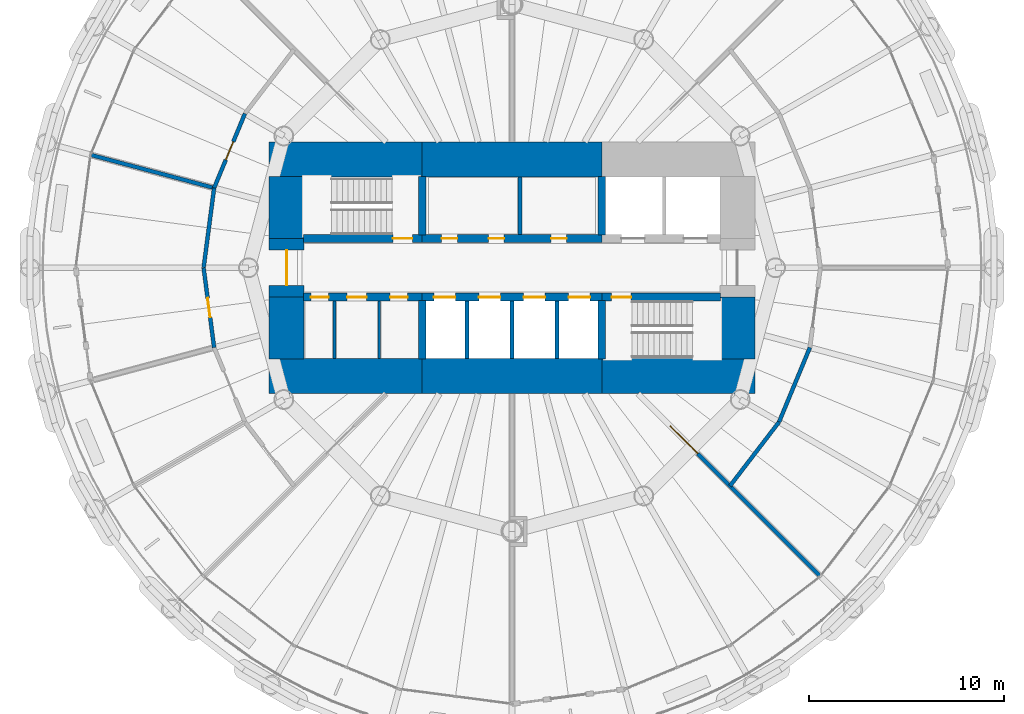
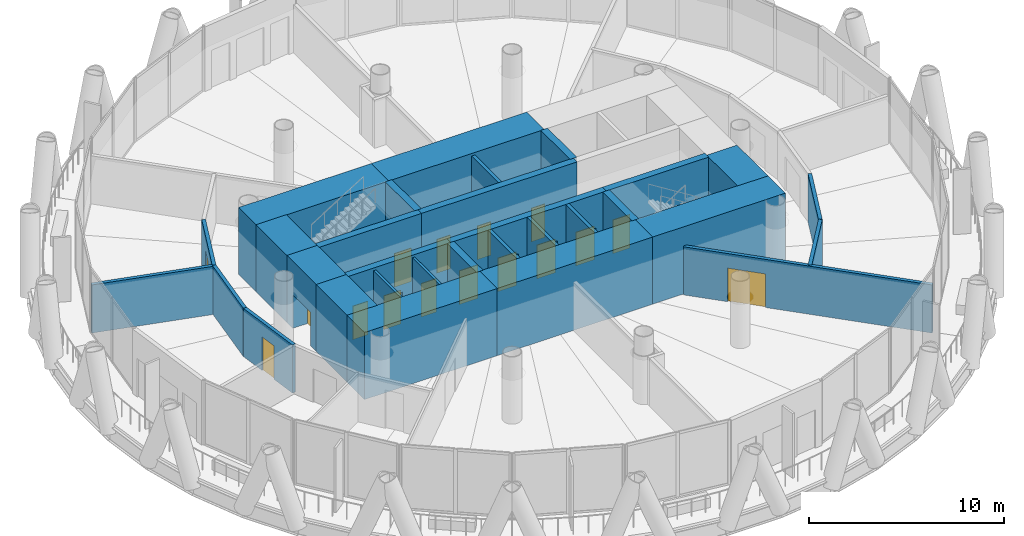
# One storey, part 10 of 15: 31 walls, 16 doors, 16 openings.
"""IFC4 building model written with IfcOpenShell, lengths in metres."""

from ifc_helpers import new_model, si_unit, direction, frame, frame_2d, origin, place, context, subcontext, project, spatial, rectangle, extrude, material, layer, layer_set, type_object, element, fill, save


model = new_model("IFC4")

# Units and contexts
model_context = context("Model", 3, precision=1e-05, world=origin(), true_north=direction((0.0, 1.0)))
body_context = subcontext(model_context, "Body", "Model", "MODEL_VIEW")
ifc_project = project(units=[si_unit("LENGTHUNIT", "METRE"), si_unit("AREAUNIT", "SQUARE_METRE"), si_unit("VOLUMEUNIT", "CUBIC_METRE"), si_unit("PLANEANGLEUNIT", "RADIAN"), si_unit("MASSUNIT", "GRAM", prefix="KILO")], contexts=[model_context])

# Site, building, storey
site_placement = place(None, origin())
site = spatial("IfcSite", under=ifc_project, at=site_placement, CompositionType="ELEMENT")
building_placement = place(site_placement, origin())
building = spatial("IfcBuilding", under=site, at=building_placement, Name="Qaws Media Tower", CompositionType="ELEMENT")
storey_placement = place(building_placement, frame((0.0, 0.0, 156.199951171875)))
storey = spatial("IfcBuildingStorey", under=building, at=storey_placement, Name="L35", CompositionType="ELEMENT", Elevation=156.199951171875)

# Wall, opening, door
ifc_material_1 = material(Name="Concrete C60/75", Category="concrete")
ifc_layer_1 = layer(ifc_material_1, 0.39990234375)
ifc_layer_set_1 = layer_set([ifc_layer_1], Name="Core inner wall 400")
wall_type_1 = type_object("IfcWallType", Name="Core inner wall 400", PredefinedType="SHEAR", material=ifc_layer_set_1)
wall_1_placement = place(storey_placement, frame((49.330078125, 51.5, 0.0), z_axis=(0.0, 0.0, 1.0), x_axis=(1.0, 0.0, 0.0)))
wall_1 = element("IfcWall", 1, at=wall_1_placement, inside=storey, type_object=wall_type_1, Name="W321 SW4 core wall SPNW L35", PredefinedType="SHEAR", context=body_context, shape_type="SweptSolid", body=[
    extrude(rectangle(XDim=6.06982421875, YDim=0.39990234375, at=frame_2d((3.034912109375, 0.0))), origin(), (0.0, 0.0, 1.0), 4.199951171875),
])
opening_1_placement = place(wall_1_placement, frame((4.570068359375, 0.0, 0.0)))
opening_1 = element("IfcOpeningElement", 2, at=opening_1_placement, cuts=wall_1, Name="Opening D1", PredefinedType="OPENING", context=body_context, shape_type="SweptSolid", body=[
    extrude(rectangle(XDim=1.0, YDim=2.10009765625, at=frame_2d((0.5, 1.050048828125))), frame((0.0, 0.2099609375, 0.0), z_axis=(0.0, -1.0, 0.0), x_axis=(1.0, 0.0, 0.0)), (0.0, 0.0, 1.0), 0.419921875),
])
ifc_material_2 = material(Name="Steel, fire rated", Category="steel")
door_type_1 = type_object("IfcDoorType", Name="Stair door 1000 FD120", OperationType="SINGLE_SWING_LEFT", PredefinedType="DOOR", material=ifc_material_2)
door_1_placement = place(opening_1_placement, origin())
door_1 = element("IfcDoor", 3, at=door_1_placement, inside=storey, type_object=door_type_1, Name="D1 stair S1 door L35 in wall W321", OperationType="SINGLE_SWING_LEFT", OverallHeight=2.10009765625, OverallWidth=1.0, PredefinedType="DOOR", context=body_context, shape_type="SweptSolid", body=[
    extrude(rectangle(XDim=1.0, YDim=2.10009765625, at=frame_2d((0.5, 1.050048828125))), frame((0.0, 0.02490234375, 0.0), z_axis=(0.0, -1.0, 0.0), x_axis=(1.0, 0.0, 0.0)), (0.0, 0.0, 1.0), 0.050048828125),
])
fill(opening_1, door_1)

# Wall, openings, doors
wall_2_placement = place(storey_placement, frame((55.39990234375, 51.5, 0.0), z_axis=(0.0, 0.0, 1.0), x_axis=(1.0, 0.0, 0.0)))
wall_2 = element("IfcWall", 4, at=wall_2_placement, inside=storey, type_object=wall_type_1, Name="W314 SW4 core wall SPN L35", PredefinedType="SHEAR", context=body_context, shape_type="SweptSolid", body=[
    extrude(rectangle(XDim=9.2001953125, YDim=0.39990234375, at=frame_2d((4.60009765625, 0.0))), origin(), (0.0, 0.0, 1.0), 4.199951171875),
])
opening_2_placement = place(wall_2_placement, frame((1.0, 0.0, 0.0)))
opening_2 = element("IfcOpeningElement", 5, at=opening_2_placement, cuts=wall_2, Name="Opening D23", PredefinedType="OPENING", context=body_context, shape_type="SweptSolid", body=[
    extrude(rectangle(XDim=0.800048828125, YDim=2.10009765625, at=frame_2d((0.39990234375, 1.050048828125))), frame((0.0, 0.2099609375, 0.0), z_axis=(0.0, -1.0, 0.0), x_axis=(1.0, 0.0, 0.0)), (0.0, 0.0, 1.0), 0.419921875),
])
opening_3_placement = place(wall_2_placement, frame((3.39990234375, 0.0, 0.0)))
opening_3 = element("IfcOpeningElement", 6, at=opening_3_placement, cuts=wall_2, Name="Opening D23", PredefinedType="OPENING", context=body_context, shape_type="SweptSolid", body=[
    extrude(rectangle(XDim=0.800048828125, YDim=2.10009765625, at=frame_2d((0.39990234375, 1.050048828125))), frame((0.0, 0.2099609375, 0.0), z_axis=(0.0, -1.0, 0.0), x_axis=(1.0, 0.0, 0.0)), (0.0, 0.0, 1.0), 0.419921875),
])
opening_4_placement = place(wall_2_placement, frame((6.60009765625, 0.0, 0.0)))
opening_4 = element("IfcOpeningElement", 7, at=opening_4_placement, cuts=wall_2, Name="Opening D23", PredefinedType="OPENING", context=body_context, shape_type="SweptSolid", body=[
    extrude(rectangle(XDim=0.800048828125, YDim=2.10009765625, at=frame_2d((0.39990234375, 1.050048828125))), frame((0.0, 0.2099609375, 0.0), z_axis=(0.0, -1.0, 0.0), x_axis=(1.0, 0.0, 0.0)), (0.0, 0.0, 1.0), 0.419921875),
])
ifc_material_3 = material(Name="Steel, fire rated", Category="steel")
door_type_2 = type_object("IfcDoorType", Name="Core room door 800x2100", OperationType="SINGLE_SWING_LEFT", PredefinedType="DOOR", material=ifc_material_3)
door_2_placement = place(opening_2_placement, origin())
door_2 = element("IfcDoor", 8, at=door_2_placement, inside=storey, type_object=door_type_2, Name="D23 Ladies toilets door L35 1 in wall W314", OperationType="SINGLE_SWING_LEFT", OverallHeight=2.10009765625, OverallWidth=0.800048828125, PredefinedType="DOOR", context=body_context, shape_type="SweptSolid", body=[
    extrude(rectangle(XDim=0.800048828125, YDim=2.10009765625, at=frame_2d((0.39990234375, 1.050048828125))), frame((0.0, 0.02490234375, 0.0), z_axis=(0.0, -1.0, 0.0), x_axis=(1.0, 0.0, 0.0)), (0.0, 0.0, 1.0), 0.050048828125),
])
fill(opening_2, door_2)
door_3_placement = place(opening_3_placement, origin())
door_3 = element("IfcDoor", 9, at=door_3_placement, inside=storey, type_object=door_type_2, Name="D23 Ladies toilets door L35 2 in wall W314", OperationType="SINGLE_SWING_LEFT", OverallHeight=2.10009765625, OverallWidth=0.800048828125, PredefinedType="DOOR", context=body_context, shape_type="SweptSolid", body=[
    extrude(rectangle(XDim=0.800048828125, YDim=2.10009765625, at=frame_2d((0.39990234375, 1.050048828125))), frame((0.0, 0.02490234375, 0.0), z_axis=(0.0, -1.0, 0.0), x_axis=(1.0, 0.0, 0.0)), (0.0, 0.0, 1.0), 0.050048828125),
])
fill(opening_3, door_3)
door_4_placement = place(opening_4_placement, origin())
door_4 = element("IfcDoor", 10, at=door_4_placement, inside=storey, type_object=door_type_2, Name="D23 Gents toilets door L35 in wall W314", OperationType="SINGLE_SWING_LEFT", OverallHeight=2.10009765625, OverallWidth=0.800048828125, PredefinedType="DOOR", context=body_context, shape_type="SweptSolid", body=[
    extrude(rectangle(XDim=0.800048828125, YDim=2.10009765625, at=frame_2d((0.39990234375, 1.050048828125))), frame((0.0, 0.02490234375, 0.0), z_axis=(0.0, -1.0, 0.0), x_axis=(1.0, 0.0, 0.0)), (0.0, 0.0, 1.0), 0.050048828125),
])
fill(opening_4, door_4)

wall_3_placement = place(storey_placement, frame((49.330078125, 48.5, 0.0), z_axis=(0.0, 0.0, 1.0), x_axis=(1.0, 0.0, 0.0)))
wall_3 = element("IfcWall", 11, at=wall_3_placement, inside=storey, type_object=wall_type_1, Name="W320 SW4 core wall SPSW L35", PredefinedType="SHEAR", context=body_context, shape_type="SweptSolid", body=[
    extrude(rectangle(XDim=6.06982421875, YDim=0.39990234375, at=frame_2d((3.034912109375, 0.0))), origin(), (0.0, 0.0, 1.0), 4.199951171875),
])
opening_5_placement = place(wall_3_placement, frame((0.3701171875, 0.0, 0.0)))
opening_5 = element("IfcOpeningElement", 12, at=opening_5_placement, cuts=wall_3, Name="Opening D25", PredefinedType="OPENING", context=body_context, shape_type="SweptSolid", body=[
    extrude(rectangle(XDim=0.89990234375, YDim=2.10009765625, at=frame_2d((0.449951171875, 1.050048828125))), frame((0.0, 0.2099609375, 0.0), z_axis=(0.0, -1.0, 0.0), x_axis=(1.0, 0.0, 0.0)), (0.0, 0.0, 1.0), 0.419921875),
])
opening_6_placement = place(wall_3_placement, frame((2.219970703125, 0.0, 0.0)))
opening_6 = element("IfcOpeningElement", 13, at=opening_6_placement, cuts=wall_3, Name="Opening D4", PredefinedType="OPENING", context=body_context, shape_type="SweptSolid", body=[
    extrude(rectangle(XDim=1.0, YDim=2.10009765625, at=frame_2d((0.5, 1.050048828125))), frame((0.0, 0.2099609375, 0.0), z_axis=(0.0, -1.0, 0.0), x_axis=(1.0, 0.0, 0.0)), (0.0, 0.0, 1.0), 0.419921875),
])
opening_7_placement = place(wall_3_placement, frame((4.419921875, 0.0, 0.0)))
opening_7 = element("IfcOpeningElement", 14, at=opening_7_placement, cuts=wall_3, Name="Opening D25", PredefinedType="OPENING", context=body_context, shape_type="SweptSolid", body=[
    extrude(rectangle(XDim=0.89990234375, YDim=2.10009765625, at=frame_2d((0.449951171875, 1.050048828125))), frame((0.0, 0.2099609375, 0.0), z_axis=(0.0, -1.0, 0.0), x_axis=(1.0, 0.0, 0.0)), (0.0, 0.0, 1.0), 0.419921875),
])
ifc_material_4 = material(Name="Timber veneered", Category="wood")
door_type_3 = type_object("IfcDoorType", Name="Accessible WC door 1000", OperationType="SLIDING_TO_LEFT", PredefinedType="DOOR", material=ifc_material_4)
door_5_placement = place(opening_6_placement, origin())
door_5 = element("IfcDoor", 15, at=door_5_placement, inside=storey, type_object=door_type_3, Name="D4 toilet door 2 L35 in wall W320", OperationType="SLIDING_TO_LEFT", OverallHeight=2.10009765625, OverallWidth=1.0, PredefinedType="DOOR", context=body_context, shape_type="SweptSolid", body=[
    extrude(rectangle(XDim=1.0, YDim=2.10009765625, at=frame_2d((0.5, 1.050048828125))), frame((0.0, 0.02490234375, 0.0), z_axis=(0.0, -1.0, 0.0), x_axis=(1.0, 0.0, 0.0)), (0.0, 0.0, 1.0), 0.050048828125),
])
fill(opening_6, door_5)
ifc_material_5 = material(Name="Steel, fire rated", Category="steel")
door_type_4 = type_object("IfcDoorType", Name="Core service door 900", OperationType="SINGLE_SWING_RIGHT", PredefinedType="DOOR", material=ifc_material_5)
door_6_placement = place(opening_5_placement, origin())
door_6 = element("IfcDoor", 16, at=door_6_placement, inside=storey, type_object=door_type_4, Name="D25 toilet door 1 L35 in wall W320", OperationType="SINGLE_SWING_RIGHT", OverallHeight=2.10009765625, OverallWidth=0.89990234375, PredefinedType="DOOR", context=body_context, shape_type="SweptSolid", body=[
    extrude(rectangle(XDim=0.89990234375, YDim=2.10009765625, at=frame_2d((0.449951171875, 1.050048828125))), frame((0.0, 0.02490234375, 0.0), z_axis=(0.0, -1.0, 0.0), x_axis=(1.0, 0.0, 0.0)), (0.0, 0.0, 1.0), 0.050048828125),
])
fill(opening_5, door_6)
door_7_placement = place(opening_7_placement, origin())
door_7 = element("IfcDoor", 17, at=door_7_placement, inside=storey, type_object=door_type_4, Name="D25 toilet door 3 L35 in wall W320", OperationType="SINGLE_SWING_RIGHT", OverallHeight=2.10009765625, OverallWidth=0.89990234375, PredefinedType="DOOR", context=body_context, shape_type="SweptSolid", body=[
    extrude(rectangle(XDim=0.89990234375, YDim=2.10009765625, at=frame_2d((0.449951171875, 1.050048828125))), frame((0.0, 0.02490234375, 0.0), z_axis=(0.0, -1.0, 0.0), x_axis=(1.0, 0.0, 0.0)), (0.0, 0.0, 1.0), 0.050048828125),
])
fill(opening_7, door_7)

wall_4_placement = place(storey_placement, frame((55.39990234375, 48.5, 0.0), z_axis=(0.0, 0.0, 1.0), x_axis=(1.0, 0.0, 0.0)))
wall_4 = element("IfcWall", 18, at=wall_4_placement, inside=storey, type_object=wall_type_1, Name="W313 SW4 core wall SPS L35", PredefinedType="SHEAR", context=body_context, shape_type="SweptSolid", body=[
    extrude(rectangle(XDim=9.2001953125, YDim=0.39990234375, at=frame_2d((4.60009765625, 0.0))), origin(), (0.0, 0.0, 1.0), 4.199951171875),
])
opening_8_placement = place(wall_4_placement, frame((0.60009765625, 0.0, 0.0)))
opening_8 = element("IfcOpeningElement", 19, at=opening_8_placement, cuts=wall_4, Name="Opening LD", PredefinedType="OPENING", context=body_context, shape_type="SweptSolid", body=[
    extrude(rectangle(XDim=1.10009765625, YDim=2.10009765625, at=frame_2d((0.550048828125, 1.050048828125))), frame((0.0, 0.2099609375, 0.0), z_axis=(0.0, -1.0, 0.0), x_axis=(1.0, 0.0, 0.0)), (0.0, 0.0, 1.0), 0.419921875),
])
opening_9_placement = place(wall_4_placement, frame((2.89990234375, 0.0, 0.0)))
opening_9 = element("IfcOpeningElement", 20, at=opening_9_placement, cuts=wall_4, Name="Opening LD", PredefinedType="OPENING", context=body_context, shape_type="SweptSolid", body=[
    extrude(rectangle(XDim=1.10009765625, YDim=2.10009765625, at=frame_2d((0.550048828125, 1.050048828125))), frame((0.0, 0.2099609375, 0.0), z_axis=(0.0, -1.0, 0.0), x_axis=(1.0, 0.0, 0.0)), (0.0, 0.0, 1.0), 0.419921875),
])
opening_10_placement = place(wall_4_placement, frame((5.199951171875, 0.0, 0.0)))
opening_10 = element("IfcOpeningElement", 21, at=opening_10_placement, cuts=wall_4, Name="Opening LD", PredefinedType="OPENING", context=body_context, shape_type="SweptSolid", body=[
    extrude(rectangle(XDim=1.10009765625, YDim=2.10009765625, at=frame_2d((0.550048828125, 1.050048828125))), frame((0.0, 0.2099609375, 0.0), z_axis=(0.0, -1.0, 0.0), x_axis=(1.0, 0.0, 0.0)), (0.0, 0.0, 1.0), 0.419921875),
])
opening_11_placement = place(wall_4_placement, frame((7.5, 0.0, 0.0)))
opening_11 = element("IfcOpeningElement", 22, at=opening_11_placement, cuts=wall_4, Name="Opening LD", PredefinedType="OPENING", context=body_context, shape_type="SweptSolid", body=[
    extrude(rectangle(XDim=1.10009765625, YDim=2.10009765625, at=frame_2d((0.550048828125, 1.050048828125))), frame((0.0, 0.2099609375, 0.0), z_axis=(0.0, -1.0, 0.0), x_axis=(1.0, 0.0, 0.0)), (0.0, 0.0, 1.0), 0.419921875),
])
ifc_material_6 = material(Name="Steel, fire rated", Category="steel")
door_type_5 = type_object("IfcDoorType", Name="Lift landing door 1100", OperationType="SLIDING_TO_LEFT", PredefinedType="DOOR", material=ifc_material_6)
door_8_placement = place(opening_8_placement, origin())
door_8 = element("IfcDoor", 23, at=door_8_placement, inside=storey, type_object=door_type_5, Name="P5 landing door L35 in wall W313", OperationType="SLIDING_TO_LEFT", OverallHeight=2.10009765625, OverallWidth=1.10009765625, PredefinedType="DOOR", context=body_context, shape_type="SweptSolid", body=[
    extrude(rectangle(XDim=1.10009765625, YDim=2.10009765625, at=frame_2d((0.550048828125, 1.050048828125))), frame((0.0, 0.02490234375, 0.0), z_axis=(0.0, -1.0, 0.0), x_axis=(1.0, 0.0, 0.0)), (0.0, 0.0, 1.0), 0.050048828125),
])
fill(opening_8, door_8)
door_9_placement = place(opening_9_placement, origin())
door_9 = element("IfcDoor", 24, at=door_9_placement, inside=storey, type_object=door_type_5, Name="P6 landing door L35 in wall W313", OperationType="SLIDING_TO_LEFT", OverallHeight=2.10009765625, OverallWidth=1.10009765625, PredefinedType="DOOR", context=body_context, shape_type="SweptSolid", body=[
    extrude(rectangle(XDim=1.10009765625, YDim=2.10009765625, at=frame_2d((0.550048828125, 1.050048828125))), frame((0.0, 0.02490234375, 0.0), z_axis=(0.0, -1.0, 0.0), x_axis=(1.0, 0.0, 0.0)), (0.0, 0.0, 1.0), 0.050048828125),
])
fill(opening_9, door_9)
door_10_placement = place(opening_10_placement, origin())
door_10 = element("IfcDoor", 25, at=door_10_placement, inside=storey, type_object=door_type_5, Name="P7 landing door L35 in wall W313", OperationType="SLIDING_TO_LEFT", OverallHeight=2.10009765625, OverallWidth=1.10009765625, PredefinedType="DOOR", context=body_context, shape_type="SweptSolid", body=[
    extrude(rectangle(XDim=1.10009765625, YDim=2.10009765625, at=frame_2d((0.550048828125, 1.050048828125))), frame((0.0, 0.02490234375, 0.0), z_axis=(0.0, -1.0, 0.0), x_axis=(1.0, 0.0, 0.0)), (0.0, 0.0, 1.0), 0.050048828125),
])
fill(opening_10, door_10)
door_11_placement = place(opening_11_placement, origin())
door_11 = element("IfcDoor", 26, at=door_11_placement, inside=storey, type_object=door_type_5, Name="P8 landing door L35 in wall W313", OperationType="SLIDING_TO_LEFT", OverallHeight=2.10009765625, OverallWidth=1.10009765625, PredefinedType="DOOR", context=body_context, shape_type="SweptSolid", body=[
    extrude(rectangle(XDim=1.10009765625, YDim=2.10009765625, at=frame_2d((0.550048828125, 1.050048828125))), frame((0.0, 0.02490234375, 0.0), z_axis=(0.0, -1.0, 0.0), x_axis=(1.0, 0.0, 0.0)), (0.0, 0.0, 1.0), 0.050048828125),
])
fill(opening_11, door_11)

# Wall, opening, door
wall_5_placement = place(storey_placement, frame((64.60009765625, 48.5, 0.0), z_axis=(0.0, 0.0, 1.0), x_axis=(1.0, 0.0, 0.0)))
wall_5 = element("IfcWall", 27, at=wall_5_placement, inside=storey, type_object=wall_type_1, Name="W325 SW4 core wall SPSE L35", PredefinedType="SHEAR", context=body_context, shape_type="SweptSolid", body=[
    extrude(rectangle(XDim=6.06982421875, YDim=0.39990234375, at=frame_2d((3.034912109375, 0.0))), origin(), (0.0, 0.0, 1.0), 4.199951171875),
])
opening_12_placement = place(wall_5_placement, frame((0.5, 0.0, 0.0)))
opening_12 = element("IfcOpeningElement", 28, at=opening_12_placement, cuts=wall_5, Name="Opening D1", PredefinedType="OPENING", context=body_context, shape_type="SweptSolid", body=[
    extrude(rectangle(XDim=1.0, YDim=2.10009765625, at=frame_2d((0.5, 1.050048828125))), frame((0.0, 0.2099609375, 0.0), z_axis=(0.0, -1.0, 0.0), x_axis=(1.0, 0.0, 0.0)), (0.0, 0.0, 1.0), 0.419921875),
])
door_12_placement = place(opening_12_placement, origin())
door_12 = element("IfcDoor", 29, at=door_12_placement, inside=storey, type_object=door_type_1, Name="D1 stair S2 door L35 in wall W325", OperationType="SINGLE_SWING_LEFT", OverallHeight=2.10009765625, OverallWidth=1.0, PredefinedType="DOOR", context=body_context, shape_type="SweptSolid", body=[
    extrude(rectangle(XDim=1.0, YDim=2.10009765625, at=frame_2d((0.5, 1.050048828125))), frame((0.0, 0.02490234375, 0.0), z_axis=(0.0, -1.0, 0.0), x_axis=(1.0, 0.0, 0.0)), (0.0, 0.0, 1.0), 0.050048828125),
])
fill(opening_12, door_12)

# Walls
for number, where, z_axis, x_axis, name in (
    (30, (55.39990234375, 51.679931640625, 0.0), (0.0, 0.0, 1.0), (0.0, 1.0, 0.0), "W323 SW4 core wall XNW L35"),
    (31, (64.60009765625, 51.679931640625, 0.0), (0.0, 0.0, 1.0), (0.0, 1.0, 0.0), "W327 SW4 core wall XNE L35"),
    (32, (55.39990234375, 48.320068359375, 0.0), (0.0, 0.0, 1.0), (0.0, -1.0, 0.0), "W322 SW4 core wall XSW L35"),
    (33, (64.60009765625, 48.320068359375, 0.0), (0.0, 0.0, 1.0), (0.0, -1.0, 0.0), "W324 SW4 core wall XSE L35"),
):
    element("IfcWall", number, at=place(storey_placement, frame(where, z_axis=z_axis, x_axis=x_axis)), inside=storey, type_object=wall_type_1, Name=name, PredefinedType="SHEAR", context=body_context, shape_type="SweptSolid", body=[
        extrude(rectangle(XDim=2.989990234375, YDim=0.39990234375, at=frame_2d((1.4951171875, 0.0))), origin(), (0.0, 0.0, 1.0), 4.199951171875),
    ])
ifc_material_7 = material(Name="Concrete C60/75", Category="concrete")
ifc_layer_2 = layer(ifc_material_7, 1.800048828125)
ifc_layer_set_2 = layer_set([ifc_layer_2], Name="Core wall 1800")
wall_type_2 = type_object("IfcWallType", Name="Core wall 1800", PredefinedType="SHEAR", material=ifc_layer_set_2)
wall_6_placement = place(storey_placement, frame((47.550048828125, 55.550048828125, 0.0), z_axis=(0.0, 0.0, 1.0), x_axis=(1.0, 0.0, 0.0)))
element("IfcWall", 34, at=wall_6_placement, inside=storey, type_object=wall_type_2, Name="W417 SW11 core wall NW L35", PredefinedType="SHEAR", context=body_context, shape_type="SweptSolid", body=[
    extrude(rectangle(XDim=7.849853515625, YDim=1.800048828125, at=frame_2d((3.9248046875, 0.0))), origin(), (0.0, 0.0, 1.0), 4.199951171875),
])
wall_7_placement = place(storey_placement, frame((55.39990234375, 55.550048828125, 0.0), z_axis=(0.0, 0.0, 1.0), x_axis=(1.0, 0.0, 0.0)))
element("IfcWall", 35, at=wall_7_placement, inside=storey, type_object=wall_type_2, Name="W421 SW11 core wall N L35", PredefinedType="SHEAR", context=body_context, shape_type="SweptSolid", body=[
    extrude(rectangle(XDim=9.2001953125, YDim=1.800048828125, at=frame_2d((4.60009765625, 0.0))), origin(), (0.0, 0.0, 1.0), 4.199951171875),
])
wall_8_placement = place(storey_placement, frame((47.550048828125, 44.449951171875, 0.0), z_axis=(0.0, 0.0, 1.0), x_axis=(1.0, 0.0, 0.0)))
element("IfcWall", 36, at=wall_8_placement, inside=storey, type_object=wall_type_2, Name="W416 SW11 core wall SW L35", PredefinedType="SHEAR", context=body_context, shape_type="SweptSolid", body=[
    extrude(rectangle(XDim=7.849853515625, YDim=1.800048828125, at=frame_2d((3.9248046875, 0.0))), origin(), (0.0, 0.0, 1.0), 4.199951171875),
])
wall_9_placement = place(storey_placement, frame((55.39990234375, 44.449951171875, 0.0), z_axis=(0.0, 0.0, 1.0), x_axis=(1.0, 0.0, 0.0)))
element("IfcWall", 37, at=wall_9_placement, inside=storey, type_object=wall_type_2, Name="W420 SW11 core wall S L35", PredefinedType="SHEAR", context=body_context, shape_type="SweptSolid", body=[
    extrude(rectangle(XDim=9.2001953125, YDim=1.800048828125, at=frame_2d((4.60009765625, 0.0))), origin(), (0.0, 0.0, 1.0), 4.199951171875),
])
wall_10_placement = place(storey_placement, frame((64.60009765625, 44.449951171875, 0.0), z_axis=(0.0, 0.0, 1.0), x_axis=(1.0, 0.0, 0.0)))
element("IfcWall", 38, at=wall_10_placement, inside=storey, type_object=wall_type_2, Name="W422 SW11 core wall SE L35", PredefinedType="SHEAR", context=body_context, shape_type="SweptSolid", body=[
    extrude(rectangle(XDim=7.849853515625, YDim=1.800048828125, at=frame_2d((3.9248046875, 0.0))), origin(), (0.0, 0.0, 1.0), 4.199951171875),
])
for number, where, z_axis, x_axis, name in (
    (39, (71.550048828125, 45.330078125, 0.0), (0.0, 0.0, 1.0), (0.0, 1.0, 0.0), "W424 SW11 core wall ES L35"),
    (40, (48.449951171875, 45.330078125, 0.0), (0.0, 0.0, 1.0), (0.0, 1.0, 0.0), "W418 SW11 core wall WS L35"),
):
    element("IfcWall", number, at=place(storey_placement, frame(where, z_axis=z_axis, x_axis=x_axis)), inside=storey, type_object=wall_type_2, Name=name, PredefinedType="SHEAR", context=body_context, shape_type="SweptSolid", body=[
        extrude(rectangle(XDim=3.169921875, YDim=1.800048828125, at=frame_2d((1.5849609375, 0.0))), origin(), (0.0, 0.0, 1.0), 4.199951171875),
    ])

# Wall, opening, door
wall_11_placement = place(storey_placement, frame((48.449951171875, 48.5, 0.0), z_axis=(0.0, 0.0, 1.0), x_axis=(0.0, 1.0, 0.0)))
wall_11 = element("IfcWall", 41, at=wall_11_placement, inside=storey, type_object=wall_type_2, Name="W426 SW11 core wall W L35", PredefinedType="SHEAR", context=body_context, shape_type="SweptSolid", body=[
    extrude(rectangle(XDim=3.0, YDim=1.800048828125, at=frame_2d((1.5, 0.0))), origin(), (0.0, 0.0, 1.0), 4.199951171875),
])
opening_13_placement = place(wall_11_placement, frame((0.60009765625, 0.0, 0.0)))
opening_13 = element("IfcOpeningElement", 42, at=opening_13_placement, cuts=wall_11, Name="Opening D2", PredefinedType="OPENING", context=body_context, shape_type="SweptSolid", body=[
    extrude(rectangle(XDim=1.800048828125, YDim=2.10009765625, at=frame_2d((0.89990234375, 1.050048828125))), frame((0.0, 0.909912109375, 0.0), z_axis=(0.0, -1.0, 0.0), x_axis=(1.0, 0.0, 0.0)), (0.0, 0.0, 1.0), 1.820068359375),
])
ifc_material_8 = material(Name="Steel and glass, fire rated", Category="steel")
door_type_6 = type_object("IfcDoorType", Name="Lobby door pair 1800 FD60", OperationType="DOUBLE_DOOR_DOUBLE_SWING", PredefinedType="DOOR", material=ifc_material_8)
door_13_placement = place(opening_13_placement, origin())
door_13 = element("IfcDoor", 43, at=door_13_placement, inside=storey, type_object=door_type_6, Name="D2 core lobby door W L35 in wall W426", OperationType="DOUBLE_DOOR_DOUBLE_SWING", OverallHeight=2.10009765625, OverallWidth=1.800048828125, PredefinedType="DOOR", context=body_context, shape_type="SweptSolid", body=[
    extrude(rectangle(XDim=1.800048828125, YDim=2.10009765625, at=frame_2d((0.89990234375, 1.050048828125))), frame((0.0, 0.02490234375, 0.0), z_axis=(0.0, -1.0, 0.0), x_axis=(1.0, 0.0, 0.0)), (0.0, 0.0, 1.0), 0.050048828125),
])
fill(opening_13, door_13)

# Wall
wall_12_placement = place(storey_placement, frame((48.449951171875, 51.5, 0.0), z_axis=(0.0, 0.0, 1.0), x_axis=(0.0, 1.0, 0.0)))
element("IfcWall", 44, at=wall_12_placement, inside=storey, type_object=wall_type_2, Name="W419 SW11 core wall WN L35", PredefinedType="SHEAR", context=body_context, shape_type="SweptSolid", body=[
    extrude(rectangle(XDim=3.169921875, YDim=1.800048828125, at=frame_2d((1.5849609375, 0.0))), origin(), (0.0, 0.0, 1.0), 4.199951171875),
])

# Wall, opening, door
ifc_material_9 = material(Name="Gypsum board on galvanised metal studs, acoustic double stud, deflection head", Category="gypsum")
ifc_layer_3 = layer(ifc_material_9, 0.199951171875)
ifc_layer_set_3 = layer_set([ifc_layer_3], Name="Room partition 200")
wall_type_3 = type_object("IfcWallType", Name="Room partition 200", PredefinedType="PARTITIONING", material=ifc_layer_set_3)
wall_13_placement = place(storey_placement, frame((44.73828125, 45.91064453125, 0.0), z_axis=(0.0, 0.0, 1.0), x_axis=(-0.130515758099, 0.991446234996, 0.0)))
wall_13 = element("IfcWall", 45, at=wall_13_placement, inside=storey, type_object=wall_type_3, Name="W1336 IW3 partition L35", PredefinedType="PARTITIONING", context=body_context, shape_type="SweptSolid", body=[
    extrude(rectangle(XDim=4.124755859375, YDim=0.199951171875, at=frame_2d((2.0625, 0.0))), origin(), (0.0, 0.0, 1.0), 3.011962890625),
])
opening_14_placement = place(wall_13_placement, frame((1.562255859375, 0.0, 0.0)))
opening_14 = element("IfcOpeningElement", 46, at=opening_14_placement, cuts=wall_13, Name="Opening D5", PredefinedType="OPENING", context=body_context, shape_type="SweptSolid", body=[
    extrude(rectangle(XDim=1.0, YDim=2.10009765625, at=frame_2d((0.5, 1.050048828125))), frame((0.0, 0.10986328125, 0.0), z_axis=(0.0, -1.0, 0.0), x_axis=(1.0, 0.0, 0.0)), (0.0, 0.0, 1.0), 0.219970703125),
])
ifc_material_10 = material(Name="Timber veneered, acoustic seal", Category="wood")
door_type_7 = type_object("IfcDoorType", Name="Room door 1000", OperationType="SINGLE_SWING_LEFT", PredefinedType="DOOR", material=ifc_material_10)
door_14_placement = place(opening_14_placement, origin())
door_14 = element("IfcDoor", 47, at=door_14_placement, inside=storey, type_object=door_type_7, Name="D5 Server room door L35 in wall W1336", OperationType="SINGLE_SWING_LEFT", OverallHeight=2.10009765625, OverallWidth=1.0, PredefinedType="DOOR", context=body_context, shape_type="SweptSolid", body=[
    extrude(rectangle(XDim=1.0, YDim=2.10009765625, at=frame_2d((0.5, 1.050048828125))), frame((0.0, 0.02490234375, 0.0), z_axis=(0.0, -1.0, 0.0), x_axis=(1.0, 0.0, 0.0)), (0.0, 0.0, 1.0), 0.050048828125),
])
fill(opening_14, door_14)

# Wall
wall_14_placement = place(storey_placement, frame((44.199951171875, 50.0, 0.0), z_axis=(0.0, 0.0, 1.0), x_axis=(0.130515758099, 0.991446234996, 0.0)))
element("IfcWall", 48, at=wall_14_placement, inside=storey, type_object=wall_type_3, Name="W1334 IW3 partition L35", PredefinedType="PARTITIONING", context=body_context, shape_type="SweptSolid", body=[
    extrude(rectangle(XDim=4.124755859375, YDim=0.199951171875, at=frame_2d((2.0625, 0.0))), origin(), (0.0, 0.0, 1.0), 3.011962890625),
])

# Wall, opening, door
wall_15_placement = place(storey_placement, frame((44.73828125, 54.08935546875, 0.0), z_axis=(0.0, 0.0, 1.0), x_axis=(0.382731667114, 0.923859551549, 0.0)))
wall_15 = element("IfcWall", 49, at=wall_15_placement, inside=storey, type_object=wall_type_3, Name="W1338 IW3 partition L35", PredefinedType="PARTITIONING", context=body_context, shape_type="SweptSolid", body=[
    extrude(rectangle(XDim=4.12451171875, YDim=0.199951171875, at=frame_2d((2.062255859375, 0.0))), origin(), (0.0, 0.0, 1.0), 3.011962890625),
])
opening_15_placement = place(wall_15_placement, frame((1.562255859375, 0.0, 0.0)))
opening_15 = element("IfcOpeningElement", 50, at=opening_15_placement, cuts=wall_15, Name="Opening D5", PredefinedType="OPENING", context=body_context, shape_type="SweptSolid", body=[
    extrude(rectangle(XDim=1.0, YDim=2.10009765625, at=frame_2d((0.5, 1.050048828125))), frame((0.0, 0.10986328125, 0.0), z_axis=(0.0, -1.0, 0.0), x_axis=(1.0, 0.0, 0.0)), (0.0, 0.0, 1.0), 0.219970703125),
])
door_15_placement = place(opening_15_placement, origin())
door_15 = element("IfcDoor", 51, at=door_15_placement, inside=storey, type_object=door_type_7, Name="D5 Help desk door L35 in wall W1338", OperationType="SINGLE_SWING_LEFT", OverallHeight=2.10009765625, OverallWidth=1.0, PredefinedType="DOOR", context=body_context, shape_type="SweptSolid", body=[
    extrude(rectangle(XDim=1.0, YDim=2.10009765625, at=frame_2d((0.5, 1.050048828125))), frame((0.0, 0.02490234375, 0.0), z_axis=(0.0, -1.0, 0.0), x_axis=(1.0, 0.0, 0.0)), (0.0, 0.0, 1.0), 0.050048828125),
])
fill(opening_15, door_15)

# Walls
wall_16_placement = place(storey_placement, frame((75.26171875, 45.91064453125, 0.0), z_axis=(0.0, 0.0, 1.0), x_axis=(-0.382731667114, -0.923859551549, 0.0)))
element("IfcWall", 52, at=wall_16_placement, inside=storey, type_object=wall_type_3, Name="W1356 IW3 partition L35", PredefinedType="PARTITIONING", context=body_context, shape_type="SweptSolid", body=[
    extrude(rectangle(XDim=4.12451171875, YDim=0.199951171875, at=frame_2d((2.062255859375, 0.0))), origin(), (0.0, 0.0, 1.0), 3.011962890625),
])
wall_17_placement = place(storey_placement, frame((73.68310546875, 42.10009765625, 0.0), z_axis=(0.0, 0.0, 1.0), x_axis=(-0.608714823874, -0.793389099494, 0.0)))
element("IfcWall", 53, at=wall_17_placement, inside=storey, type_object=wall_type_3, Name="W1354 IW3 partition L35", PredefinedType="PARTITIONING", context=body_context, shape_type="SweptSolid", body=[
    extrude(rectangle(XDim=4.124755859375, YDim=0.199951171875, at=frame_2d((2.0625, 0.0))), origin(), (0.0, 0.0, 1.0), 3.011962890625),
])
wall_18_placement = place(storey_placement, frame((44.73828125, 54.08935546875, 0.0), z_axis=(0.0, 0.0, 1.0), x_axis=(-0.965919257384, 0.258843559344, 0.0)))
element("IfcWall", 54, at=wall_18_placement, inside=storey, type_object=wall_type_3, Name="W1337 IW3 partition L35", PredefinedType="PARTITIONING", context=body_context, shape_type="SweptSolid", body=[
    extrude(rectangle(XDim=6.510009765625, YDim=0.199951171875, at=frame_2d((3.2548828125, 0.0))), origin(), (0.0, 0.0, 1.0), 3.011962890625),
])

# Wall, opening, door
wall_19_placement = place(storey_placement, frame((66.449951171875, 43.550048828125, 0.0), z_axis=(0.0, 0.0, 1.0), x_axis=(0.707106781187, -0.707106781187, 0.0)))
wall_19 = element("IfcWall", 55, at=wall_19_placement, inside=storey, type_object=wall_type_3, Name="W1351 IW3 partition L35", PredefinedType="PARTITIONING", context=body_context, shape_type="SweptSolid", body=[
    extrude(rectangle(XDim=13.1884765625, YDim=0.199951171875, at=frame_2d((6.59423828125, 0.0))), origin(), (0.0, 0.0, 1.0), 3.011962890625),
])
opening_16_placement = place(wall_19_placement, frame((2.339111328125, 0.0, 0.0)))
opening_16 = element("IfcOpeningElement", 56, at=opening_16_placement, cuts=wall_19, Name="Opening D6", PredefinedType="OPENING", context=body_context, shape_type="SweptSolid", body=[
    extrude(rectangle(XDim=2.0, YDim=2.10009765625, at=frame_2d((1.0, 1.050048828125))), frame((0.0, 0.10986328125, 0.0), z_axis=(0.0, -1.0, 0.0), x_axis=(1.0, 0.0, 0.0)), (0.0, 0.0, 1.0), 0.219970703125),
])
ifc_material_11 = material(Name="Steel, acoustic, fire rated", Category="steel")
door_type_8 = type_object("IfcDoorType", Name="Room door pair 2000", OperationType="DOUBLE_DOOR_DOUBLE_SWING", PredefinedType="DOOR", material=ifc_material_11)
door_16_placement = place(opening_16_placement, origin())
door_16 = element("IfcDoor", 57, at=door_16_placement, inside=storey, type_object=door_type_8, Name="D6 IT training room door L35 in wall W1351", OperationType="DOUBLE_DOOR_DOUBLE_SWING", OverallHeight=2.10009765625, OverallWidth=2.0, PredefinedType="DOOR", context=body_context, shape_type="SweptSolid", body=[
    extrude(rectangle(XDim=2.0, YDim=2.10009765625, at=frame_2d((1.0, 1.050048828125))), frame((0.0, 0.02490234375, 0.0), z_axis=(0.0, -1.0, 0.0), x_axis=(1.0, 0.0, 0.0)), (0.0, 0.0, 1.0), 0.050048828125),
])
fill(opening_16, door_16)

# Walls
wall_20_placement = place(storey_placement, frame((60.39990234375, 51.699951171875, 0.0), z_axis=(0.0, 0.0, 1.0), x_axis=(0.0, 1.0, 0.0)))
element("IfcWall", 58, at=wall_20_placement, inside=storey, type_object=wall_type_3, Name="W1322 IW3 core room partition 1 L35", PredefinedType="PARTITIONING", context=body_context, shape_type="SweptSolid", body=[
    extrude(rectangle(XDim=2.949951171875, YDim=0.199951171875, at=frame_2d((1.47509765625, 0.0))), origin(), (0.0, 0.0, 1.0), 4.0400390625),
])
ifc_material_12 = material(Name="Fire-rated gypsum board shaft wall on galvanised metal studs, deflection head", Category="gypsum")
ifc_layer_4 = layer(ifc_material_12, 0.199951171875)
ifc_layer_set_4 = layer_set([ifc_layer_4], Name="Shaft wall 200")
wall_type_4 = type_object("IfcWallType", Name="Shaft wall 200", PredefinedType="PARTITIONING", material=ifc_layer_set_4)
for number, where, z_axis, x_axis, name in (
    (59, (57.699951171875, 45.35009765625, 0.0), (0.0, 0.0, 1.0), (0.0, 1.0, 0.0), "W1860 IW1 shaft wall S1 L35"),
    (60, (60.0, 45.35009765625, 0.0), (0.0, 0.0, 1.0), (0.0, 1.0, 0.0), "W1861 IW1 shaft wall S2 L35"),
    (61, (62.300048828125, 45.35009765625, 0.0), (0.0, 0.0, 1.0), (0.0, 1.0, 0.0), "W1862 IW1 shaft wall S3 L35"),
):
    element("IfcWall", number, at=place(storey_placement, frame(where, z_axis=z_axis, x_axis=x_axis)), inside=storey, type_object=wall_type_4, Name=name, PredefinedType="PARTITIONING", context=body_context, shape_type="SweptSolid", body=[
        extrude(rectangle(XDim=2.949951171875, YDim=0.199951171875, at=frame_2d((1.47509765625, 0.0))), origin(), (0.0, 0.0, 1.0), 4.199951171875),
    ])
ifc_material_13 = material(Name="Gypsum board on galvanised metal studs, deflection head", Category="gypsum")
ifc_layer_5 = layer(ifc_material_13, 0.14990234375)
ifc_layer_set_5 = layer_set([ifc_layer_5], Name="WC partition 150")
wall_type_5 = type_object("IfcWallType", Name="WC partition 150", PredefinedType="PARTITIONING", material=ifc_layer_set_5)
for number, where, z_axis, x_axis, name in (
    (62, (50.89990234375, 45.35009765625, 0.0), (0.0, 0.0, 1.0), (0.0, 1.0, 0.0), "W1915 IW2 toilet partition 1 L35"),
    (63, (53.199951171875, 45.35009765625, 0.0), (0.0, 0.0, 1.0), (0.0, 1.0, 0.0), "W1913 IW2 toilet partition 2 L35"),
):
    element("IfcWall", number, at=place(storey_placement, frame(where, z_axis=z_axis, x_axis=x_axis)), inside=storey, type_object=wall_type_5, Name=name, PredefinedType="PARTITIONING", context=body_context, shape_type="SweptSolid", body=[
        extrude(rectangle(XDim=2.949951171875, YDim=0.14990234375, at=frame_2d((1.47509765625, 0.0))), origin(), (0.0, 0.0, 1.0), 4.0400390625),
    ])

save(model, "model.ifc")
